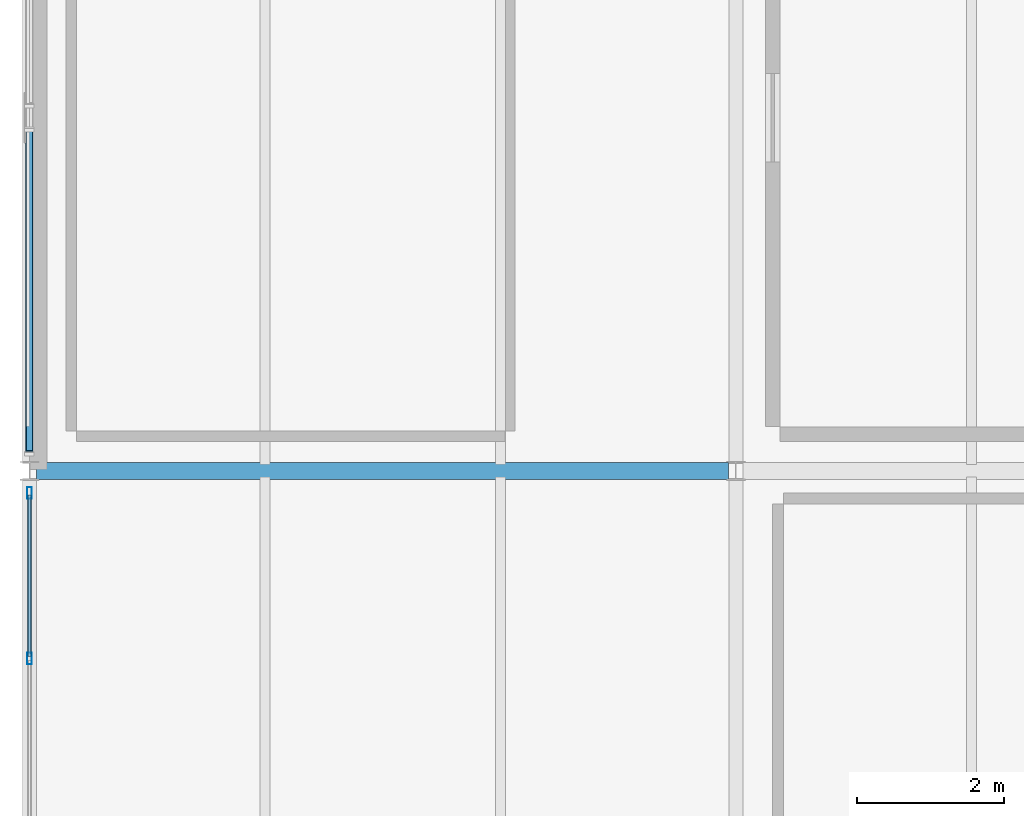
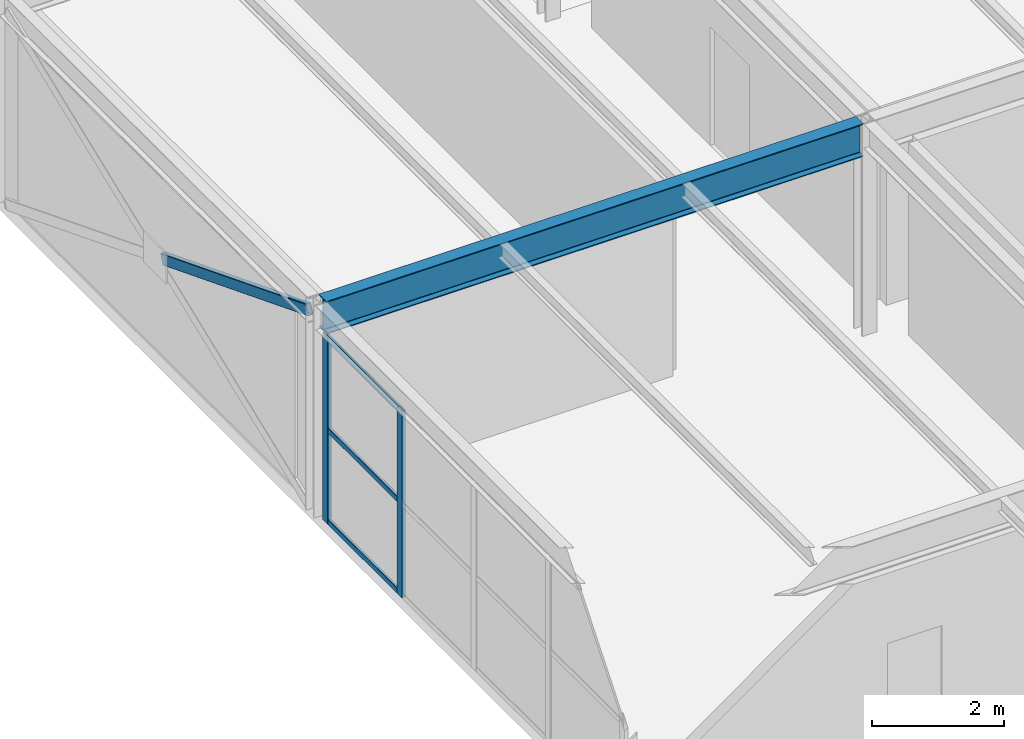
# One storey, part 12 of 33: 6 members, 1 beam, 1 element without a shape of its own.
"""IFC4 building model written with IfcOpenShell, lengths in metres."""

import ifcopenshell
import ifcopenshell.guid

model = None  # the IFC model being written
_history = None  # IfcOwnerHistory: only IFC2X3 demands one
_inside = {}  # id of a spatial element -> (the spatial element, [elements in it])
_under = {}  # id of a project, library or spatial element -> (it, [spatial elements below it])
_declared = {}  # id of a project -> (the project, [libraries it declares])
_typed = {}  # id of a type object -> (the type object, [elements of that type])
_made_of = {}  # id of a material, layer set ... -> (it, [elements and type objects made of it])


def new_model(schema):
    """Start an empty IFC model of exactly this schema.

    Asked for "IFC4X3", IfcOpenShell would pick the latest addendum, in which some entities
    have other attributes; the version numbers below select the first issue.
    IFC2X3 requires an IfcOwnerHistory on every rooted entity: one is made here for all.
    """
    global model, _history
    if schema == "IFC4X3":
        model = ifcopenshell.file(schema_version=(4, 3, 0, 0))
    else:
        model = ifcopenshell.file(schema=schema)
    _inside.clear()
    _under.clear()
    _declared.clear()
    _typed.clear()
    _made_of.clear()
    _history = None
    if model.schema == "IFC2X3":
        org = make("IfcOrganization", Name="unknown")
        user = make(
            "IfcPersonAndOrganization",
            ThePerson=make("IfcPerson", FamilyName="unknown"),
            TheOrganization=org,
        )
        app = make(
            "IfcApplication",
            ApplicationDeveloper=org,
            Version="unknown",
            ApplicationFullName="unknown",
            ApplicationIdentifier="unknown",
        )
        _history = make(
            "IfcOwnerHistory",
            OwningUser=user,
            OwningApplication=app,
            ChangeAction="ADDED",
            CreationDate=0,
        )
    return model


def make(cls, **values):
    """One entity of the class cls with the attributes given. An attribute that is None is left unset."""
    return model.create_entity(
        cls, **{name: value for name, value in values.items() if value is not None}
    )


def rooted(cls, **values):
    """An entity with a GlobalId (a new one), such as an element, a storey or a relation."""
    return make(cls, GlobalId=ifcopenshell.guid.new(), OwnerHistory=_history, **values)


def si_unit(unit_type, name, prefix=None):
    """IfcSIUnit, for example si_unit("LENGTHUNIT", "METRE", prefix="MILLI")."""
    return make("IfcSIUnit", UnitType=unit_type, Prefix=prefix, Name=name)


def assignment(units):
    """IfcUnitAssignment: the units of a project."""
    return None if units is None else make("IfcUnitAssignment", Units=units)


def point(xyz):
    """IfcCartesianPoint."""
    return None if xyz is None else make("IfcCartesianPoint", Coordinates=xyz)


def direction(xyz):
    """IfcDirection."""
    return None if xyz is None else make("IfcDirection", DirectionRatios=xyz)


def frame(location, z_axis=None, x_axis=None):
    """IfcAxis2Placement3D, a coordinate frame: its origin and axes. An axis left out is left unset."""
    return make(
        "IfcAxis2Placement3D",
        Location=point(location),
        Axis=direction(z_axis),
        RefDirection=direction(x_axis),
    )


def frame_2d(location, x_axis=None):
    """IfcAxis2Placement2D, a coordinate frame in the plane: its origin and x axis."""
    return make(
        "IfcAxis2Placement2D", Location=point(location), RefDirection=direction(x_axis)
    )


def origin():
    """The frame at (0, 0, 0) with its axes left unset."""
    return frame((0.0, 0.0, 0.0))


def origin_2d():
    """The frame at (0, 0) in the plane with its x axis left unset."""
    return frame_2d((0.0, 0.0))


def place(relative_to, where):
    """IfcLocalPlacement: puts the frame where relative to a parent placement (None: the world)."""
    return make(
        "IfcLocalPlacement", PlacementRelTo=relative_to, RelativePlacement=where
    )


def context(
    kind, dimensions, precision=None, world=None, true_north=None, identifier=None
):
    """IfcGeometricRepresentationContext, for example the 3D "Model" context."""
    return make(
        "IfcGeometricRepresentationContext",
        ContextIdentifier=identifier,
        ContextType=kind,
        CoordinateSpaceDimension=dimensions,
        Precision=precision,
        WorldCoordinateSystem=world,
        TrueNorth=true_north,
    )


def subcontext(parent, identifier, kind, view, scale=None):
    """IfcGeometricRepresentationSubContext, for example "Body" below "Model"."""
    return make(
        "IfcGeometricRepresentationSubContext",
        ContextIdentifier=identifier,
        ContextType=kind,
        ParentContext=parent,
        TargetScale=scale,
        TargetView=view,
    )


def project(units=None, contexts=None):
    """IfcProject with its units and contexts."""
    return rooted(
        "IfcProject",
        Name="project",
        RepresentationContexts=contexts,
        UnitsInContext=assignment(units),
    )


def spatial(cls, under=None, at=None, **own):
    """A site, building, storey or space (cls), placed at a placement, below another one or the project."""
    s = rooted(cls, ObjectPlacement=at, **own)
    if under is not None:
        _under.setdefault(under.id(), (under, []))[1].append(s)
    return s


def profile(cls, at=None, kind="AREA", **sizes):
    """A parametric profile (cls). Its sizes go by their IFC names, for example OverallWidth=200.0."""
    return make(cls, ProfileType=kind, Position=at, **sizes)


def hollow_rectangle(**sizes):
    """IfcRectangleHollowProfileDef."""
    return profile("IfcRectangleHollowProfileDef", **sizes)


def i_section(**sizes):
    """IfcIShapeProfileDef."""
    return profile("IfcIShapeProfileDef", **sizes)


def extrude(swept, where, along, depth):
    """IfcExtrudedAreaSolid: the profile swept, set in the frame where, extruded along a direction by depth."""
    return make(
        "IfcExtrudedAreaSolid",
        SweptArea=swept,
        Position=where,
        ExtrudedDirection=direction(along),
        Depth=depth,
    )


def shape(context_of_items, identifier, shape_type, items):
    """IfcShapeRepresentation: the items that make up one representation, for example the "Body"."""
    return make(
        "IfcShapeRepresentation",
        ContextOfItems=context_of_items,
        RepresentationIdentifier=identifier,
        RepresentationType=shape_type,
        Items=items,
    )


def material(Name=None, Category=None):
    """IfcMaterial."""
    return make("IfcMaterial", Name=Name, Category=Category)


def material_profile(
    of_material, cross_section, Name=None, Category=None, Priority=None
):
    """IfcMaterialProfile: a cross section and its material."""
    return make(
        "IfcMaterialProfile",
        Name=Name,
        Material=of_material,
        Profile=cross_section,
        Priority=Priority,
        Category=Category,
    )


def profile_set(profiles, Name=None, composite=None):
    """IfcMaterialProfileSet."""
    return make(
        "IfcMaterialProfileSet",
        Name=Name,
        MaterialProfiles=profiles,
        CompositeProfile=composite,
    )


def made_of(thing, what):
    """Note that an element or type object is made of a material, layer set ...; save() writes the relation."""
    if what is not None:
        _made_of.setdefault(what.id(), (what, []))[1].append(thing)
    return thing


def type_object(cls, material=None, **own):
    """A type object (cls), such as IfcWallType, which elements share."""
    return made_of(rooted(cls, **own), material)


def element(
    cls,
    number,
    at=None,
    inside=None,
    cuts=None,
    type_object=None,
    material=None,
    context=None,
    identifier="Body",
    shape_type=None,
    held_by="IfcProductDefinitionShape",
    body=None,
    shapes=None,
    **own,
):
    """One element of the class cls, such as IfcWall. Its Tag is "e" and its number.

    at: its placement. inside: the storey or other place that contains it. cuts: it is an
    opening in that element (IfcRelVoidsElement). A single representation is given by context,
    identifier, shape_type and body (its items); several are given by shapes. held_by: the class
    of the entity that holds the representations. save() writes the other relations.
    """
    e = rooted(cls, Tag="e%d" % number, ObjectPlacement=at, **own)
    if body is not None:
        shapes = [shape(context, identifier, shape_type, body)]
    if shapes is not None:
        e.Representation = make(held_by, Representations=shapes)
    if inside is not None:
        _inside.setdefault(inside.id(), (inside, []))[1].append(e)
    if cuts is not None:
        rooted(
            "IfcRelVoidsElement", RelatingBuildingElement=cuts, RelatedOpeningElement=e
        )
    if type_object is not None:
        _typed.setdefault(type_object.id(), (type_object, []))[1].append(e)
    return made_of(e, material)


def aggregate(whole, parts):
    """IfcRelAggregates: a whole, such as a stair, and the parts it consists of."""
    return rooted("IfcRelAggregates", RelatingObject=whole, RelatedObjects=parts)


def save(model, path):
    """Write the relations noted so far, then the file.

    IfcRelAggregates (storeys below a building ...), IfcRelContainedInSpatialStructure (elements
    in a storey), IfcRelDefinesByType, IfcRelAssociatesMaterial and IfcRelDeclares: one each for
    every whole, place, type object, material and project.
    """
    for whole, parts in _under.values():
        aggregate(whole, parts)
    for where, things in _inside.values():
        rooted(
            "IfcRelContainedInSpatialStructure",
            RelatedElements=things,
            RelatingStructure=where,
        )
    for kind, things in _typed.values():
        rooted("IfcRelDefinesByType", RelatedObjects=things, RelatingType=kind)
    for what, things in _made_of.values():
        rooted("IfcRelAssociatesMaterial", RelatedObjects=things, RelatingMaterial=what)
    for by, libraries in _declared.values():
        rooted("IfcRelDeclares", RelatingContext=by, RelatedDefinitions=libraries)
    model.write(path)


model = new_model("IFC4")

# Units and contexts
model_context = context("Model", 3, precision=1e-05, world=origin(), true_north=direction((0.0, 1.0)))
body_context = subcontext(model_context, "Body", "Model", "MODEL_VIEW")
ifc_project = project(units=[si_unit("LENGTHUNIT", "METRE"), si_unit("AREAUNIT", "SQUARE_METRE"), si_unit("VOLUMEUNIT", "CUBIC_METRE"), si_unit("PLANEANGLEUNIT", "RADIAN"), si_unit("MASSUNIT", "GRAM", prefix="KILO")], contexts=[model_context])

# Site, building, storey
site_placement = place(None, origin())
site = spatial("IfcSite", under=ifc_project, at=site_placement, CompositionType="ELEMENT")
building_placement = place(site_placement, origin())
building = spatial("IfcBuilding", under=site, at=building_placement, Name="Coralgate Yard Interchange", CompositionType="ELEMENT")
storey_placement = place(building_placement, frame((0.0, 0.0, 23.10009765625)))
storey = spatial("IfcBuildingStorey", under=building, at=storey_placement, Name="L05", CompositionType="ELEMENT", Elevation=23.10009765625)

# Beam
ifc_material_1 = material(Name="Structural steel S355J2", Category="steel")
ifc_material_profile_1 = material_profile(ifc_material_1, i_section(OverallWidth=0.228271484375, OverallDepth=0.607666015625, WebThickness=0.010986328125, FlangeThickness=0.017333984375, FilletRadius=0.0126953125, at=origin_2d()), Name="UB 610x229x113")
ifc_profile_set_1 = profile_set([ifc_material_profile_1], Name="Structural steel S355J2")
beam_type = type_object("IfcBeamType", Name="BM-SG-5", PredefinedType="BEAM", material=ifc_profile_set_1)
beam_placement = place(storey_placement, frame((0.09814453125, 19.199951171875, 3.6162109375), z_axis=(1.0, 0.0, 0.0), x_axis=(0.0, 1.0, 0.0)))
element("IfcBeam", 1, at=beam_placement, inside=storey, type_object=beam_type, Name="L05 primary grid beam Y2 X0-1", PredefinedType="BEAM", context=body_context, shape_type="SweptSolid", body=[
    extrude(i_section(OverallWidth=0.228271484375, OverallDepth=0.607666015625, WebThickness=0.010986328125, FlangeThickness=0.017333984375, FilletRadius=0.0126953125, at=origin_2d()), origin(), (0.0, 0.0, 1.0), 9.403564453125),
])

# Member
ifc_material_profile_2 = material_profile(ifc_material_1, hollow_rectangle(XDim=0.10009765625, YDim=0.199951171875, WallThickness=0.008056640625, InnerFilletRadius=0.008056640625, OuterFilletRadius=0.01611328125, at=origin_2d()), Name="RHS 200x100x8")
ifc_profile_set_2 = profile_set([ifc_material_profile_2], Name="Structural steel S355J2")
member_type_1 = type_object("IfcMemberType", Name="MB-BR-4", PredefinedType="BRACE", material=ifc_profile_set_2)
member_1_placement = place(storey_placement, frame((0.0, 23.83154296875, 1.8759765625), z_axis=(0.0, -0.930852096163, 0.365396189182), x_axis=(1.0, 0.0, 0.0)))
element("IfcMember", 2, at=member_1_placement, inside=storey, type_object=member_type_1, Name="L05 split concentric X-brace W-B2", PredefinedType="BRACE", context=body_context, shape_type="SweptSolid", body=[
    extrude(hollow_rectangle(XDim=0.10009765625, YDim=0.199951171875, WallThickness=0.008056640625, InnerFilletRadius=0.008056640625, OuterFilletRadius=0.01611328125, at=origin_2d()), origin(), (0.0, 0.0, 1.0), 4.7177734375),
])

# Curtain wall, members
ifc_material_2 = material(Name="Anodised coastal aluminium and solar-control low-E glass", Category="aluminium")
curtain_wall_type = type_object("IfcCurtainWallType", Name="CW-CW-L05-A", PredefinedType="NOTDEFINED", material=ifc_material_2)
curtain_wall_placement = place(storey_placement, origin())
curtain_wall = element("IfcCurtainWall", 3, at=curtain_wall_placement, inside=storey, type_object=curtain_wall_type, Name="L05 unitised curtain wall CW-L05-W-00-01", PredefinedType="NOTDEFINED")
ifc_material_3 = material(Name="Anodised coastal aluminium 6063-T6", Category="aluminium")
ifc_material_profile_3 = material_profile(ifc_material_3, hollow_rectangle(XDim=0.06494140625, YDim=0.159912109375, WallThickness=0.00390625, InnerFilletRadius=0.00390625, OuterFilletRadius=0.008056640625, at=origin_2d()), Name="ALU 65x160x4")
ifc_profile_set_3 = profile_set([ifc_material_profile_3], Name="Anodised coastal aluminium 6063-T6")
member_type_2 = type_object("IfcMemberType", Name="MB-MUL-160", PredefinedType="MULLION", material=ifc_profile_set_3)
member_2_placement = place(storey_placement, frame((0.0, 16.64990234375, 0.0), z_axis=(0.0, 0.0, 1.0), x_axis=(1.0, 0.0, 0.0)))
member_2 = element("IfcMember", 4, at=member_2_placement, type_object=member_type_2, Name="CW-L05-W-00-01 vertical mullion 4", PredefinedType="MULLION", context=body_context, shape_type="SweptSolid", body=[
    extrude(hollow_rectangle(XDim=0.06494140625, YDim=0.159912109375, WallThickness=0.00390625, InnerFilletRadius=0.00390625, OuterFilletRadius=0.008056640625, at=origin_2d()), origin(), (0.0, 0.0, 1.0), 3.462890625),
])
member_3_placement = place(storey_placement, frame((0.0, 18.89990234375, 0.0), z_axis=(0.0, 0.0, 1.0), x_axis=(1.0, 0.0, 0.0)))
member_3 = element("IfcMember", 5, at=member_3_placement, type_object=member_type_2, Name="CW-L05-W-00-01 vertical mullion 5", PredefinedType="MULLION", context=body_context, shape_type="SweptSolid", body=[
    extrude(hollow_rectangle(XDim=0.06494140625, YDim=0.159912109375, WallThickness=0.00390625, InnerFilletRadius=0.00390625, OuterFilletRadius=0.008056640625, at=origin_2d()), origin(), (0.0, 0.0, 1.0), 3.462890625),
])
ifc_material_profile_4 = material_profile(ifc_material_3, hollow_rectangle(XDim=0.050048828125, YDim=0.10009765625, WallThickness=0.0029296875, InnerFilletRadius=0.0029296875, OuterFilletRadius=0.006103515625, at=origin_2d()), Name="ALU 50x100x3")
ifc_profile_set_4 = profile_set([ifc_material_profile_4], Name="Anodised coastal aluminium 6063-T6")
member_type_3 = type_object("IfcMemberType", Name="MB-TRN-100", PredefinedType="USERDEFINED", material=ifc_profile_set_4)
member_4_placement = place(storey_placement, frame((0.0, 16.679931640625, 0.034912109375), z_axis=(0.0, 1.0, 0.0), x_axis=(-1.0, 0.0, 0.0)))
member_4 = element("IfcMember", 6, at=member_4_placement, type_object=member_type_3, Name="CW-L05-W-00-01 horizontal transom 4-1", ObjectType="TRANSOM", PredefinedType="USERDEFINED", context=body_context, shape_type="SweptSolid", body=[
    extrude(hollow_rectangle(XDim=0.050048828125, YDim=0.10009765625, WallThickness=0.0029296875, InnerFilletRadius=0.0029296875, OuterFilletRadius=0.006103515625, at=origin_2d()), origin(), (0.0, 0.0, 1.0), 2.190185546875),
])
member_5_placement = place(storey_placement, frame((0.0, 16.679931640625, 1.7314453125), z_axis=(0.0, 1.0, 0.0), x_axis=(-1.0, 0.0, 0.0)))
member_5 = element("IfcMember", 7, at=member_5_placement, type_object=member_type_3, Name="CW-L05-W-00-01 horizontal transom 4-2", ObjectType="TRANSOM", PredefinedType="USERDEFINED", context=body_context, shape_type="SweptSolid", body=[
    extrude(hollow_rectangle(XDim=0.050048828125, YDim=0.10009765625, WallThickness=0.0029296875, InnerFilletRadius=0.0029296875, OuterFilletRadius=0.006103515625, at=origin_2d()), origin(), (0.0, 0.0, 1.0), 2.190185546875),
])
member_6_placement = place(storey_placement, frame((0.0, 16.679931640625, 3.427978515625), z_axis=(0.0, 1.0, 0.0), x_axis=(-1.0, 0.0, 0.0)))
member_6 = element("IfcMember", 8, at=member_6_placement, type_object=member_type_3, Name="CW-L05-W-00-01 horizontal transom 4-3", ObjectType="TRANSOM", PredefinedType="USERDEFINED", context=body_context, shape_type="SweptSolid", body=[
    extrude(hollow_rectangle(XDim=0.050048828125, YDim=0.10009765625, WallThickness=0.0029296875, InnerFilletRadius=0.0029296875, OuterFilletRadius=0.006103515625, at=origin_2d()), origin(), (0.0, 0.0, 1.0), 2.190185546875),
])
aggregate(curtain_wall, [member_2, member_3, member_4, member_5, member_6])

save(model, "model.ifc")
